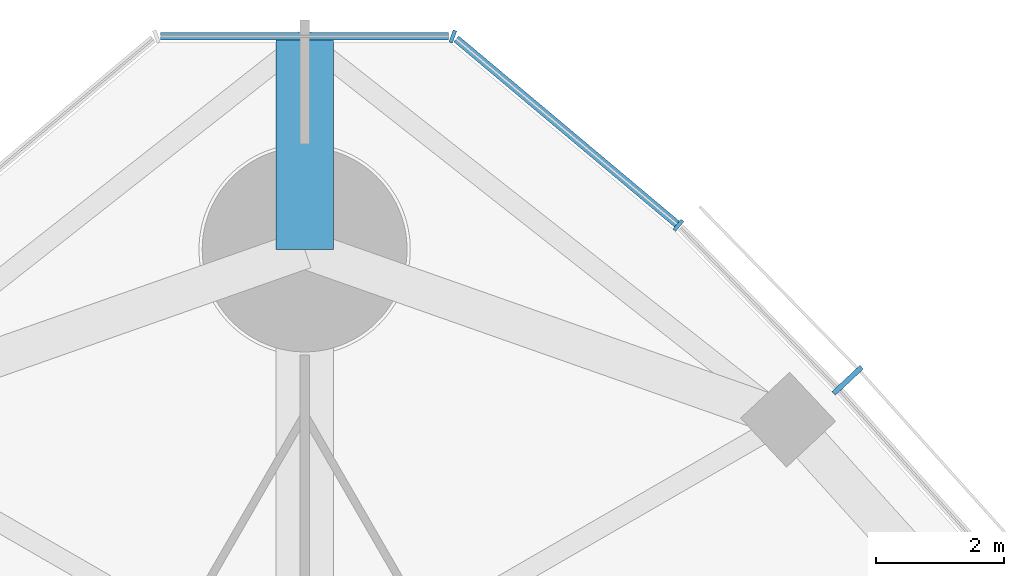
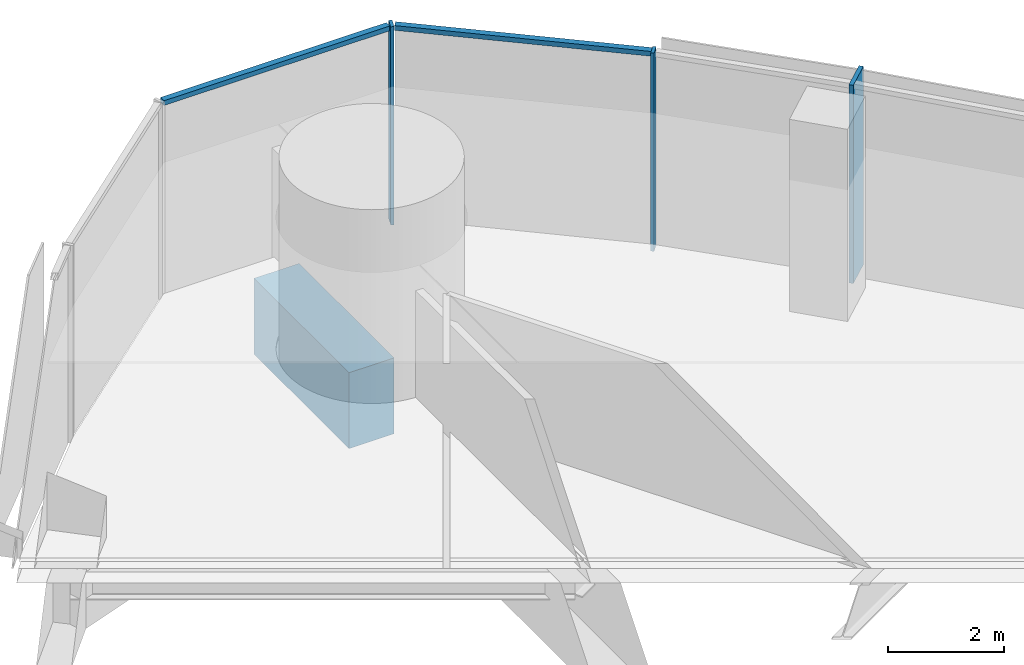
# One storey, part 8 of 19: 5 members, 1 beam, 2 elements without a shape of their own.
"""IFC4 building model written with IfcOpenShell, lengths in metres."""

from ifc_helpers import new_model, si_unit, direction, frame, origin, origin_2d, place, context, subcontext, project, spatial, rectangle, extrude, material, material_profile, profile_set, type_object, element, aggregate, save


model = new_model("IFC4")

# Units and contexts
model_context = context("Model", 3, precision=1e-05, world=origin(), true_north=direction((0.0, 1.0)))
body_context = subcontext(model_context, "Body", "Model", "MODEL_VIEW")
ifc_project = project(units=[si_unit("LENGTHUNIT", "METRE"), si_unit("AREAUNIT", "SQUARE_METRE"), si_unit("VOLUMEUNIT", "CUBIC_METRE"), si_unit("PLANEANGLEUNIT", "RADIAN"), si_unit("MASSUNIT", "GRAM", prefix="KILO")], contexts=[model_context])

# Site, building, storey
site_placement = place(None, origin())
site = spatial("IfcSite", under=ifc_project, at=site_placement, CompositionType="ELEMENT")
building_placement = place(site_placement, origin())
building = spatial("IfcBuilding", under=site, at=building_placement, Name="Trefoil Bronze Tower", CompositionType="ELEMENT")
storey_placement = place(building_placement, frame((0.0, 0.0, 240.10009765625)))
storey = spatial("IfcBuildingStorey", under=building, at=storey_placement, Name="L55", CompositionType="ELEMENT", Elevation=240.10009765625)

# Curtain wall, member
ifc_material_1 = material(Name="Tinted solar-control glass", Category="glass")
curtain_wall_type_1 = type_object("IfcCurtainWallType", Name="Bronze office curtain wall", PredefinedType="USERDEFINED", material=ifc_material_1)
curtain_wall_1_placement = place(storey_placement, origin())
curtain_wall_1 = element("IfcCurtainWall", 1, at=curtain_wall_1_placement, inside=storey, type_object=curtain_wall_type_1, Name="CW-A L55 F2", ObjectType="CURTAIN WALL", PredefinedType="USERDEFINED")
ifc_material_2 = material(Name="Bronze-finish aluminium", Category="aluminium")
ifc_material_profile_1 = material_profile(ifc_material_2, rectangle(XDim=0.60009765625, YDim=0.080078125, at=origin_2d()), Name="CW-A mullion")
ifc_profile_set_1 = profile_set([ifc_material_profile_1], Name="Bronze-finish aluminium")
member_type_1 = type_object("IfcMemberType", Name="Bronze office curtain wall mullion", PredefinedType="MULLION", material=ifc_profile_set_1)
member_1_placement = place(storey_placement, frame((8.482177734375, 30.95654296875, 0.0), z_axis=(0.0, 0.0, 1.0), x_axis=(-0.729859580661, -0.683597098091, 0.0)))
member_1 = element("IfcMember", 2, at=member_1_placement, type_object=member_type_1, Name="CW-A L55 F2 mullion 12", PredefinedType="MULLION", context=body_context, shape_type="SweptSolid", body=[
    extrude(rectangle(XDim=0.60009765625, YDim=0.080078125, at=origin_2d()), origin(), (0.0, 0.0, 1.0), 4.179931640625),
])
aggregate(curtain_wall_1, [member_1])

# Curtain wall, members
ifc_material_3 = material(Name="Tinted solar-control glass", Category="glass")
curtain_wall_type_2 = type_object("IfcCurtainWallType", Name="Bronze rounded corner curtain wall", PredefinedType="USERDEFINED", material=ifc_material_3)
curtain_wall_2_placement = place(storey_placement, origin())
curtain_wall_2 = element("IfcCurtainWall", 3, at=curtain_wall_2_placement, inside=storey, type_object=curtain_wall_type_2, Name="CW-B L55 K2", ObjectType="CURTAIN WALL", PredefinedType="USERDEFINED")
ifc_material_4 = material(Name="Bronze-finish aluminium", Category="aluminium")
ifc_material_profile_2 = material_profile(ifc_material_4, rectangle(XDim=0.199951171875, YDim=0.06005859375, at=origin_2d()), Name="CW-B mullion")
ifc_profile_set_2 = profile_set([ifc_material_profile_2], Name="Bronze-finish aluminium")
member_type_2 = type_object("IfcMemberType", Name="Bronze rounded corner curtain wall mullion", PredefinedType="MULLION", material=ifc_profile_set_2)
member_2_placement = place(storey_placement, frame((5.837890625, 33.3779296875, 0.0), z_axis=(0.0, 0.0, 1.0), x_axis=(-0.642787609687, -0.766044443119, 0.0)))
member_2 = element("IfcMember", 4, at=member_2_placement, type_object=member_type_2, Name="CW-B L55 K2 mullion 1", PredefinedType="MULLION", context=body_context, shape_type="SweptSolid", body=[
    extrude(rectangle(XDim=0.199951171875, YDim=0.06005859375, at=origin_2d()), origin(), (0.0, 0.0, 1.0), 4.179931640625),
])
member_3_placement = place(storey_placement, frame((2.314453125, 36.326416015625, 0.0), z_axis=(0.0, 0.0, 1.0), x_axis=(-0.342020143326, -0.939692620786, 0.0)))
member_3 = element("IfcMember", 5, at=member_3_placement, type_object=member_type_2, Name="CW-B L55 K2 mullion 2", PredefinedType="MULLION", context=body_context, shape_type="SweptSolid", body=[
    extrude(rectangle(XDim=0.199951171875, YDim=0.06005859375, at=origin_2d()), origin(), (0.0, 0.0, 1.0), 4.179931640625),
])
ifc_material_5 = material(Name="Bronze-finish aluminium", Category="aluminium")
ifc_material_profile_3 = material_profile(ifc_material_5, rectangle(XDim=0.1201171875, YDim=0.10009765625, at=origin_2d()), Name="CW-B transom")
ifc_profile_set_3 = profile_set([ifc_material_profile_3], Name="Bronze-finish aluminium")
member_type_3 = type_object("IfcMemberType", Name="Bronze rounded corner curtain wall transom", PredefinedType="USERDEFINED", material=ifc_profile_set_3)
member_4_placement = place(storey_placement, frame((5.814697265625, 33.397216796875, 4.1298828125), z_axis=(-0.766046761698, 0.642784846501, 0.0), x_axis=(-0.642784846501, -0.766046761698, 0.0)))
member_4 = element("IfcMember", 6, at=member_4_placement, type_object=member_type_3, Name="CW-B L55 K2 transom 1", ObjectType="TRANSOM", PredefinedType="USERDEFINED", context=body_context, shape_type="SweptSolid", body=[
    extrude(rectangle(XDim=0.1201171875, YDim=0.10009765625, at=origin_2d()), origin(), (0.0, 0.0, 1.0), 4.5),
])
member_5_placement = place(storey_placement, frame((2.250244140625, 36.33251953125, 4.1298828125), z_axis=(-1.0, 0.0, 0.0), x_axis=(0.0, -1.0, 0.0)))
member_5 = element("IfcMember", 7, at=member_5_placement, type_object=member_type_3, Name="CW-B L55 K2 transom 2", ObjectType="TRANSOM", PredefinedType="USERDEFINED", context=body_context, shape_type="SweptSolid", body=[
    extrude(rectangle(XDim=0.1201171875, YDim=0.10009765625, at=origin_2d()), origin(), (0.0, 0.0, 1.0), 4.50048828125),
])
aggregate(curtain_wall_2, [member_2, member_3, member_4, member_5])

# Beam
ifc_material_6 = material(Name="Concrete B80", Category="concrete")
ifc_material_profile_4 = material_profile(ifc_material_6, rectangle(XDim=0.89990234375, YDim=1.60009765625, at=origin_2d()), Name="RC 900x1600")
ifc_profile_set_4 = profile_set([ifc_material_profile_4], Name="Concrete B80")
beam_type = type_object("IfcBeamType", Name="Corner cantilever RC 900x1600", PredefinedType="BEAM", material=ifc_profile_set_4)
beam_placement = place(storey_placement, frame((0.0, 33.0, -1.0), z_axis=(0.0, 1.0, 0.0), x_axis=(-1.0, 0.0, 0.0)))
element("IfcBeam", 8, at=beam_placement, inside=storey, type_object=beam_type, Name="Corner cantilever K2 L55", PredefinedType="BEAM", context=body_context, shape_type="SweptSolid", body=[
    extrude(rectangle(XDim=0.89990234375, YDim=1.60009765625, at=origin_2d()), origin(), (0.0, 0.0, 1.0), 3.28466796875),
])

save(model, "model.ifc")
